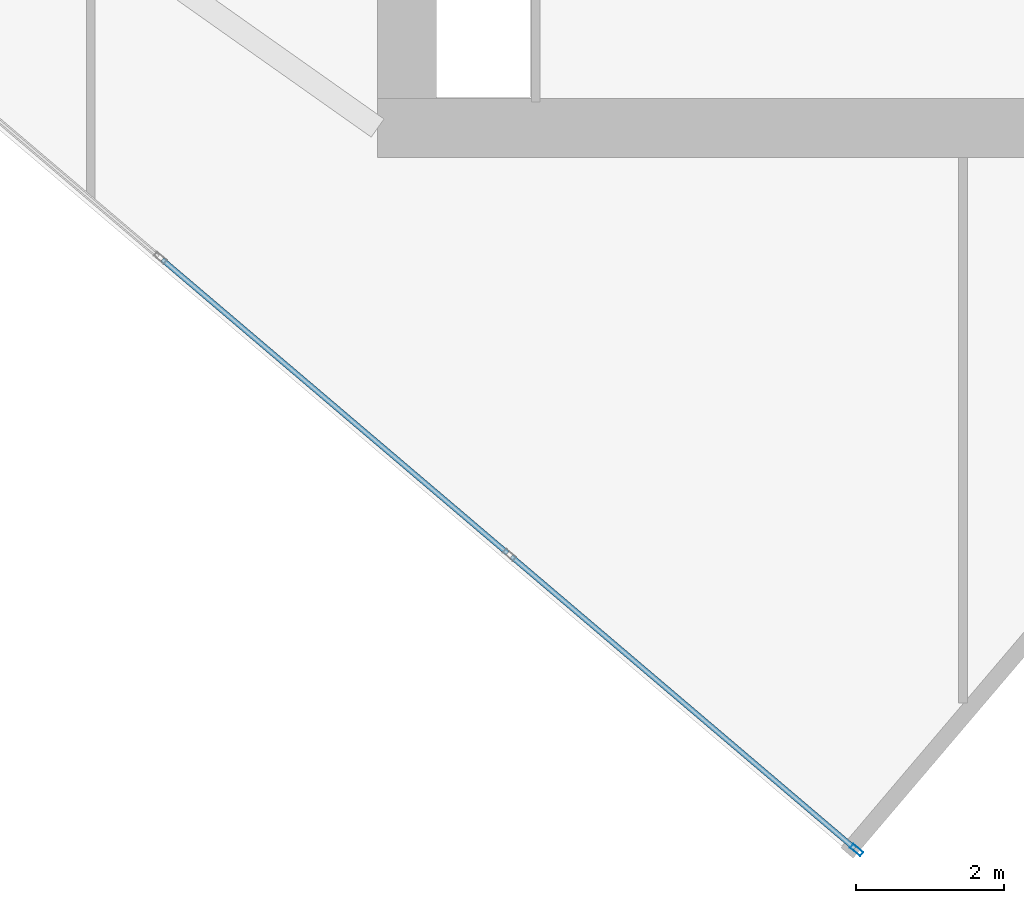
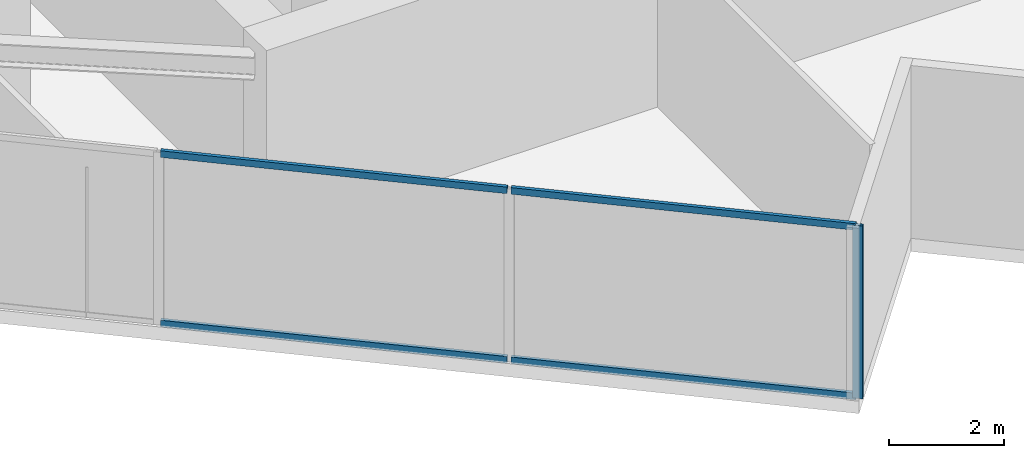
# One storey, part 3 of 25: 5 members, 1 element without a shape of its own.
"""IFC4 building model written with IfcOpenShell, lengths in metres."""

from ifc_helpers import new_model, si_unit, direction, frame, origin, origin_2d, place, context, subcontext, project, spatial, hollow_rectangle, extrude, source, transform, mapped, material, material_profile, profile_set, type_object, type_shapes, element, aggregate, save


model = new_model("IFC4")

# Units and contexts
model_context = context("Model", 3, precision=1e-05, world=origin(), true_north=direction((0.0, 1.0)))
body_context = subcontext(model_context, "Body", "Model", "MODEL_VIEW")
ifc_project = project(units=[si_unit("LENGTHUNIT", "METRE"), si_unit("AREAUNIT", "SQUARE_METRE"), si_unit("VOLUMEUNIT", "CUBIC_METRE"), si_unit("PLANEANGLEUNIT", "RADIAN"), si_unit("MASSUNIT", "GRAM", prefix="KILO")], contexts=[model_context])

# Site, building, storey
site_placement = place(None, origin())
site = spatial("IfcSite", under=ifc_project, at=site_placement, CompositionType="ELEMENT")
building_placement = place(site_placement, origin())
building = spatial("IfcBuilding", under=site, at=building_placement, Name="Krantzveldt Concourse Tower", CompositionType="ELEMENT")
storey_placement = place(building_placement, frame((0.0, 0.0, 215.199951171875)))
storey = spatial("IfcBuildingStorey", under=building, at=storey_placement, Name="L52", CompositionType="ELEMENT", Elevation=215.199951171875)

# Curtain wall, members
ifc_material = material(Name="Anodised aluminium 6063-T6", Category="aluminium")
curtain_wall_type = type_object("IfcCurtainWallType", Name="CW3", PredefinedType="USERDEFINED", material=ifc_material)
curtain_wall_placement = place(storey_placement, origin())
curtain_wall = element("IfcCurtainWall", 1, at=curtain_wall_placement, inside=storey, type_object=curtain_wall_type, Name="CW-L52-F04", ObjectType="UNITISED CURTAIN WALL", PredefinedType="USERDEFINED")
ifc_material_profile_1 = material_profile(ifc_material, hollow_rectangle(XDim=0.070068359375, YDim=0.179931640625, WallThickness=0.0048828125, at=origin_2d()), Name="Anodised aluminium 6063-T6", Category="aluminium")
ifc_profile_set_1 = profile_set([ifc_material_profile_1], Name="Anodised aluminium 6063-T6 - ALU-MULL 180x70x5")
member_type_1 = type_object("IfcMemberType", Name="CW-MUL-180", PredefinedType="MULLION", material=ifc_profile_set_1)
shared_shape_1 = source(origin(), body_context, "Body", "SweptSolid", [
    extrude(hollow_rectangle(XDim=0.070068359375, YDim=0.179931640625, WallThickness=0.0048828125, at=origin_2d()), origin(), (0.0, 0.0, 1.0), 3.670166015625),
])
type_shapes(member_type_1, [shared_shape_1])
member_1_placement = place(storey_placement, frame((34.560302734375, 1.13330078125, 0.0), z_axis=(0.0, 0.0, 1.0), x_axis=(0.647787694805, 0.761820912327, 0.0)))
member_1 = element("IfcMember", 2, at=member_1_placement, type_object=member_type_1, Name="CW-Z34 mullion 6", PredefinedType="MULLION", context=body_context, shape_type="MappedRepresentation", body=[
    mapped(shared_shape_1, transform((0.0, 0.0, 0.0), x_axis=(1.0, 0.0, 0.0), y_axis=(0.0, 1.0, 0.0), z_axis=(0.0, 0.0, 1.0), scale=1.0)),
])
ifc_material_profile_2 = material_profile(ifc_material, hollow_rectangle(XDim=0.070068359375, YDim=0.139892578125, WallThickness=0.0048828125, at=origin_2d()), Name="Anodised aluminium 6063-T6", Category="aluminium")
ifc_profile_set_2 = profile_set([ifc_material_profile_2], Name="Anodised aluminium 6063-T6 - ALU-TRAN 140x70x5")
member_type_2 = type_object("IfcMemberType", Name="CW-TRN-150", PredefinedType="USERDEFINED", material=ifc_profile_set_2)
shared_shape_2 = source(origin(), body_context, "Body", "SweptSolid", [
    extrude(hollow_rectangle(XDim=0.070068359375, YDim=0.139892578125, WallThickness=0.0048828125, at=origin_2d()), origin(), (0.0, 0.0, 1.0), 6.1298828125),
])
member_2_placement = place(storey_placement, frame((25.1669921875, 9.120361328125, 0.03515625), z_axis=(0.761817452252, -0.647791763952, 0.0), x_axis=(0.647791763952, 0.761817452252, 0.0)))
member_2 = element("IfcMember", 3, at=member_2_placement, type_object=member_type_2, Name="CW-Z34 transom 4.1", ObjectType="TRANSOM", PredefinedType="USERDEFINED", context=body_context, shape_type="MappedRepresentation", body=[
    mapped(shared_shape_2, transform((0.0, 0.0, 0.0), x_axis=(1.0, 0.0, 0.0), y_axis=(0.0, 1.0, 0.0), z_axis=(0.0, 0.0, 1.0), scale=1.0)),
])
member_3_placement = place(storey_placement, frame((25.1669921875, 9.120361328125, 3.635009765625), z_axis=(0.761817452252, -0.647791763952, 0.0), x_axis=(0.647791763952, 0.761817452252, 0.0)))
member_3 = element("IfcMember", 4, at=member_3_placement, type_object=member_type_2, Name="CW-Z34 transom 4.2", ObjectType="TRANSOM", PredefinedType="USERDEFINED", context=body_context, shape_type="MappedRepresentation", body=[
    mapped(shared_shape_2, transform((0.0, 0.0, 0.0), x_axis=(1.0, 0.0, 0.0), y_axis=(0.0, 1.0, 0.0), z_axis=(0.0, 0.0, 1.0), scale=1.0)),
])
shared_shape_3 = source(origin(), body_context, "Body", "SweptSolid", [
    extrude(hollow_rectangle(XDim=0.070068359375, YDim=0.139892578125, WallThickness=0.0048828125, at=origin_2d()), origin(), (0.0, 0.0, 1.0), 6.09521484375),
])
type_shapes(member_type_2, [shared_shape_2, shared_shape_3])
member_4_placement = place(storey_placement, frame((29.89013671875, 5.104248046875, 0.03515625), z_axis=(0.761803905125, -0.647807695336, 0.0), x_axis=(0.647807695336, 0.761803905125, 0.0)))
member_4 = element("IfcMember", 5, at=member_4_placement, type_object=member_type_2, Name="CW-Z34 transom 5.1", ObjectType="TRANSOM", PredefinedType="USERDEFINED", context=body_context, shape_type="MappedRepresentation", body=[
    mapped(shared_shape_3, transform((0.0, 0.0, 0.0), x_axis=(1.0, 0.0, 0.0), y_axis=(0.0, 1.0, 0.0), z_axis=(0.0, 0.0, 1.0), scale=1.0)),
])
member_5_placement = place(storey_placement, frame((29.89013671875, 5.104248046875, 3.635009765625), z_axis=(0.761803905125, -0.647807695336, 0.0), x_axis=(0.647807695336, 0.761803905125, 0.0)))
member_5 = element("IfcMember", 6, at=member_5_placement, type_object=member_type_2, Name="CW-Z34 transom 5.2", ObjectType="TRANSOM", PredefinedType="USERDEFINED", context=body_context, shape_type="MappedRepresentation", body=[
    mapped(shared_shape_3, transform((0.0, 0.0, 0.0), x_axis=(1.0, 0.0, 0.0), y_axis=(0.0, 1.0, 0.0), z_axis=(0.0, 0.0, 1.0), scale=1.0)),
])
aggregate(curtain_wall, [member_1, member_2, member_3, member_4, member_5])

save(model, "model.ifc")
